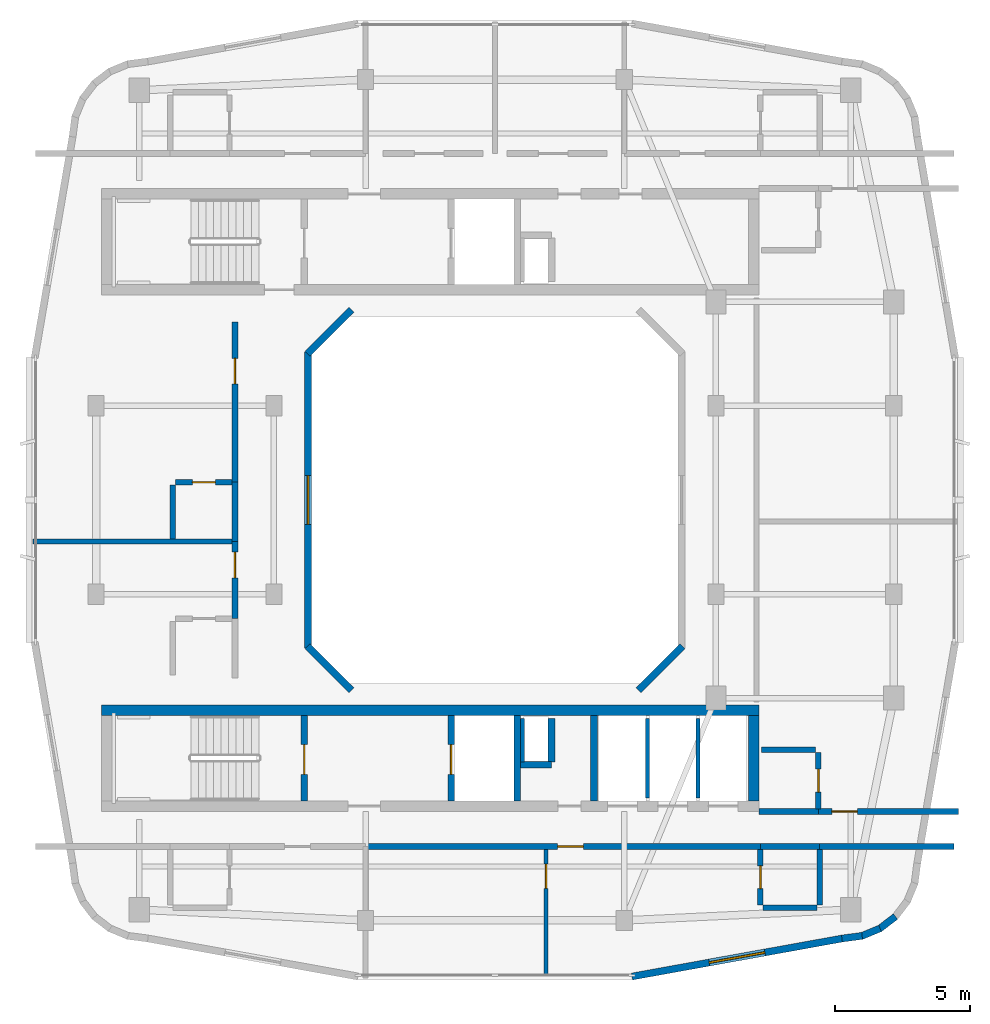
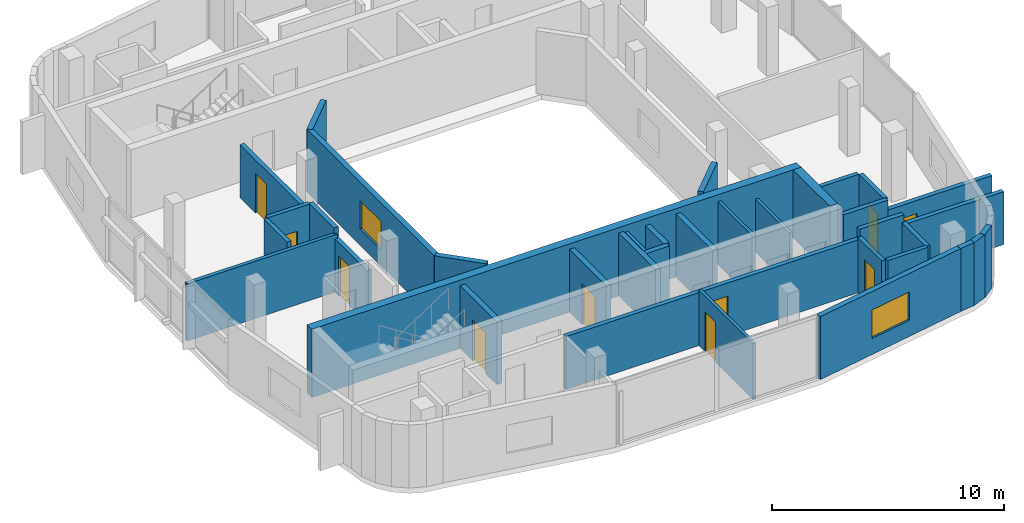
# One storey, part 4 of 8: 36 walls, 10 doors, 2 windows, 12 openings.
"""IFC4 building model written with IfcOpenShell, lengths in metres."""

from ifc_helpers import new_model, si_unit, derived_unit, direction, frame, frame_2d, origin, place, context, subcontext, project, spatial, rectangle, extrude, material, layer, layer_set, type_object, element, fill, save


model = new_model("IFC4")

# Units and contexts
model_context = context("Model", 3, precision=1e-05, world=origin(), true_north=direction((0.0, 1.0)))
body_context = subcontext(model_context, "Body", "Model", "MODEL_VIEW")
ifc_project = project(units=[si_unit("LENGTHUNIT", "METRE"), si_unit("AREAUNIT", "SQUARE_METRE"), si_unit("VOLUMEUNIT", "CUBIC_METRE"), si_unit("PLANEANGLEUNIT", "RADIAN"), si_unit("MASSUNIT", "GRAM", prefix="KILO"), derived_unit("THERMALTRANSMITTANCEUNIT", [(si_unit("POWERUNIT", "WATT"), 1), (si_unit("LENGTHUNIT", "METRE"), -2), (si_unit("THERMODYNAMICTEMPERATUREUNIT", "KELVIN"), -1)])], contexts=[model_context])

# Site, building, storey
site_placement = place(None, origin())
site = spatial("IfcSite", under=ifc_project, at=site_placement, CompositionType="ELEMENT")
building_placement = place(site_placement, origin())
building = spatial("IfcBuilding", under=site, at=building_placement, Name="Kivonza Crest Hotel", CompositionType="ELEMENT")
storey_placement = place(building_placement, frame((0.0, 0.0, 261.199951171875)))
storey = spatial("IfcBuildingStorey", under=building, at=storey_placement, Name="L71", CompositionType="ELEMENT", Elevation=261.199951171875)

# Walls
ifc_material_1 = material(Name="High-density acoustic masonry inter-tenancy wall", Category="masonry")
ifc_layer_1 = layer(ifc_material_1, 0.179931640625)
ifc_layer_set_1 = layer_set([ifc_layer_1], Name="High-density acoustic masonry inter-tenancy wall")
wall_type_1 = type_object("IfcWallType", Name="WL-ACOU-180", PredefinedType="SOLIDWALL", material=ifc_layer_set_1)
wall_1_placement = place(storey_placement, frame((3.860107421875, 23.4599609375, 0.0), z_axis=(0.0, 0.0, 1.0), x_axis=(1.0, 0.0, 0.0)))
element("IfcWall", 1, at=wall_1_placement, inside=storey, type_object=wall_type_1, Name="L71 interior partition WA-L71-T1W-DIV1", PredefinedType="SOLIDWALL", context=body_context, shape_type="SweptSolid", body=[
    extrude(rectangle(XDim=7.489990234375, YDim=0.179931640625, at=frame_2d((3.7451171875, 0.0))), origin(), (0.0, 0.0, 1.0), 3.01513671875),
])
ifc_material_2 = material(Name="Autoclaved aerated concrete blockwork", Category="masonry")
ifc_layer_2 = layer(ifc_material_2, 0.219970703125)
ifc_layer_set_2 = layer_set([ifc_layer_2], Name="Autoclaved aerated concrete blockwork")
wall_type_2 = type_object("IfcWallType", Name="WL-ACOU-220", PredefinedType="SOLIDWALL", material=ifc_layer_set_2)
wall_2_placement = place(storey_placement, frame((33.050048828125, 12.139892578125, 0.0), z_axis=(0.0, 0.0, 1.0), x_axis=(1.0, 0.0, 0.0)))
element("IfcWall", 2, at=wall_2_placement, inside=storey, type_object=wall_type_2, Name="L71 interior partition WA-L71-S04-XCORR", PredefinedType="SOLIDWALL", context=body_context, shape_type="SweptSolid", body=[
    extrude(rectangle(XDim=4.989990234375, YDim=0.219970703125, at=frame_2d((2.4951171875, 0.0))), origin(), (0.0, 0.0, 1.0), 2.795166015625),
])
wall_3_placement = place(storey_placement, frame((30.85009765625, 12.139892578125, 0.0), z_axis=(0.0, 0.0, 1.0), x_axis=(1.0, 0.0, 0.0)))
element("IfcWall", 3, at=wall_3_placement, inside=storey, type_object=wall_type_2, Name="L71 interior partition WA-L71-S04-BCORR", PredefinedType="SOLIDWALL", context=body_context, shape_type="SweptSolid", body=[
    extrude(rectangle(XDim=2.199951171875, YDim=0.219970703125, at=frame_2d((1.10009765625, 0.0))), origin(), (0.0, 0.0, 1.0), 3.320068359375),
])

# Wall, opening, door
wall_4_placement = place(storey_placement, frame((16.199951171875, 12.139892578125, 0.0), z_axis=(0.0, 0.0, 1.0), x_axis=(1.0, 0.0, 0.0)))
wall_4 = element("IfcWall", 4, at=wall_4_placement, inside=storey, type_object=wall_type_2, Name="L71 interior partition WA-L71-S04-MCORR", PredefinedType="SOLIDWALL", context=body_context, shape_type="SweptSolid", body=[
    extrude(rectangle(XDim=14.650146484375, YDim=0.219970703125, at=frame_2d((7.3251953125, 0.0))), origin(), (0.0, 0.0, 1.0), 2.795166015625),
])
opening_1_placement = place(wall_4_placement, frame((7.1298828125, 0.0, 0.0)))
opening_1 = element("IfcOpeningElement", 5, at=opening_1_placement, cuts=wall_4, Name="Opening DU-60", PredefinedType="OPENING", context=body_context, shape_type="SweptSolid", body=[
    extrude(rectangle(XDim=0.949951171875, YDim=2.10009765625, at=frame_2d((0.47509765625, 1.050048828125))), frame((0.0, 0.1201171875, 0.0), z_axis=(0.0, -1.0, 0.0), x_axis=(1.0, 0.0, 0.0)), (0.0, 0.0, 1.0), 0.239990234375),
])
ifc_material_3 = material(Name="Hardwood timber oak", Category="wood")
door_type_1 = type_object("IfcDoorType", Name="DR-UNIT-950", OperationType="NOTDEFINED", PredefinedType="DOOR", material=ifc_material_3)
door_1_placement = place(opening_1_placement, frame((0.949951171875, 0.0, 0.0), z_axis=(0.0, 0.0, 1.0), x_axis=(-1.0, 0.0, 0.0)))
door_1 = element("IfcDoor", 6, at=door_1_placement, inside=storey, type_object=door_type_1, Name="L71 S04 guest unit entrance fire door", OperationType="SINGLE_SWING_RIGHT", OverallHeight=2.10009765625, OverallWidth=0.949951171875, PredefinedType="DOOR", context=body_context, shape_type="SweptSolid", body=[
    extrude(rectangle(XDim=0.949951171875, YDim=2.10009765625, at=frame_2d((0.47509765625, 1.050048828125))), frame((0.0, 0.02490234375, 0.0), z_axis=(0.0, -1.0, 0.0), x_axis=(1.0, 0.0, 0.0)), (0.0, 0.0, 1.0), 0.050048828125),
])
fill(opening_1, door_1)

wall_5_placement = place(storey_placement, frame((11.35009765625, 20.60009765625, 0.0), z_axis=(0.0, 0.0, 1.0), x_axis=(0.0, 1.0, 0.0)))
wall_5 = element("IfcWall", 7, at=wall_5_placement, inside=storey, type_object=wall_type_2, Name="L71 interior partition WA-L71-W05-MCORR", PredefinedType="SOLIDWALL", context=body_context, shape_type="SweptSolid", body=[
    extrude(rectangle(XDim=2.85986328125, YDim=0.219970703125, at=frame_2d((1.429931640625, 0.0))), origin(), (0.0, 0.0, 1.0), 2.795166015625),
])
opening_2_placement = place(wall_5_placement, frame((1.514892578125, 0.0, 0.0)))
opening_2 = element("IfcOpeningElement", 8, at=opening_2_placement, cuts=wall_5, Name="Opening DU-60", PredefinedType="OPENING", context=body_context, shape_type="SweptSolid", body=[
    extrude(rectangle(XDim=0.949951171875, YDim=2.10009765625, at=frame_2d((0.47509765625, 1.050048828125))), frame((0.0, 0.1201171875, 0.0), z_axis=(0.0, -1.0, 0.0), x_axis=(1.0, 0.0, 0.0)), (0.0, 0.0, 1.0), 0.239990234375),
])
door_2_placement = place(opening_2_placement, origin())
door_2 = element("IfcDoor", 9, at=door_2_placement, inside=storey, type_object=door_type_1, Name="L71 W05 guest unit entrance fire door", OperationType="SINGLE_SWING_LEFT", OverallHeight=2.10009765625, OverallWidth=0.949951171875, PredefinedType="DOOR", context=body_context, shape_type="SweptSolid", body=[
    extrude(rectangle(XDim=0.949951171875, YDim=2.10009765625, at=frame_2d((0.47509765625, 1.050048828125))), frame((0.0, 0.02490234375, 0.0), z_axis=(0.0, -1.0, 0.0), x_axis=(1.0, 0.0, 0.0)), (0.0, 0.0, 1.0), 0.050048828125),
])
fill(opening_2, door_2)

# Wall
wall_6_placement = place(storey_placement, frame((11.35009765625, 23.4599609375, 0.0), z_axis=(0.0, 0.0, 1.0), x_axis=(0.0, 1.0, 0.0)))
element("IfcWall", 10, at=wall_6_placement, inside=storey, type_object=wall_type_2, Name="L71 interior partition WA-L71-W06-BCORR", PredefinedType="SOLIDWALL", context=body_context, shape_type="SweptSolid", body=[
    extrude(rectangle(XDim=2.199951171875, YDim=0.219970703125, at=frame_2d((1.10009765625, 0.0))), origin(), (0.0, 0.0, 1.0), 3.320068359375),
])

# Wall, opening, door
wall_7_placement = place(storey_placement, frame((11.35009765625, 25.659912109375, 0.0), z_axis=(0.0, 0.0, 1.0), x_axis=(0.0, 1.0, 0.0)))
wall_7 = element("IfcWall", 11, at=wall_7_placement, inside=storey, type_object=wall_type_2, Name="L71 interior partition WA-L71-W06-MCORR", PredefinedType="SOLIDWALL", context=body_context, shape_type="SweptSolid", body=[
    extrude(rectangle(XDim=5.940185546875, YDim=0.219970703125, at=frame_2d((2.97021484375, 0.0))), origin(), (0.0, 0.0, 1.0), 2.795166015625),
])
opening_3_placement = place(wall_7_placement, frame((3.64501953125, 0.0, 0.0)))
opening_3 = element("IfcOpeningElement", 12, at=opening_3_placement, cuts=wall_7, Name="Opening DU-60", PredefinedType="OPENING", context=body_context, shape_type="SweptSolid", body=[
    extrude(rectangle(XDim=0.949951171875, YDim=2.10009765625, at=frame_2d((0.47509765625, 1.050048828125))), frame((0.0, 0.1201171875, 0.0), z_axis=(0.0, -1.0, 0.0), x_axis=(1.0, 0.0, 0.0)), (0.0, 0.0, 1.0), 0.239990234375),
])
door_3_placement = place(opening_3_placement, origin())
door_3 = element("IfcDoor", 13, at=door_3_placement, inside=storey, type_object=door_type_1, Name="L71 W06 guest unit entrance fire door", OperationType="SINGLE_SWING_RIGHT", OverallHeight=2.10009765625, OverallWidth=0.949951171875, PredefinedType="DOOR", context=body_context, shape_type="SweptSolid", body=[
    extrude(rectangle(XDim=0.949951171875, YDim=2.10009765625, at=frame_2d((0.47509765625, 1.050048828125))), frame((0.0, 0.02490234375, 0.0), z_axis=(0.0, -1.0, 0.0), x_axis=(1.0, 0.0, 0.0)), (0.0, 0.0, 1.0), 0.050048828125),
])
fill(opening_3, door_3)

# Wall
wall_8_placement = place(storey_placement, frame((30.800048828125, 13.43994140625, 0.0), z_axis=(0.0, 0.0, 1.0), x_axis=(1.0, 0.0, 0.0)))
element("IfcWall", 14, at=wall_8_placement, inside=storey, type_object=wall_type_2, Name="L71 interior partition WA-L71-ES07-BCORR", PredefinedType="SOLIDWALL", context=body_context, shape_type="SweptSolid", body=[
    extrude(rectangle(XDim=2.199951171875, YDim=0.219970703125, at=frame_2d((1.10009765625, 0.0))), origin(), (0.0, 0.0, 1.0), 3.320068359375),
])

# Wall, opening, door
wall_9_placement = place(storey_placement, frame((33.0, 13.43994140625, 0.0), z_axis=(0.0, 0.0, 1.0), x_axis=(1.0, 0.0, 0.0)))
wall_9 = element("IfcWall", 15, at=wall_9_placement, inside=storey, type_object=wall_type_2, Name="L71 interior partition WA-L71-ES07-MCORR", PredefinedType="SOLIDWALL", context=body_context, shape_type="SweptSolid", body=[
    extrude(rectangle(XDim=5.199951171875, YDim=0.219970703125, at=frame_2d((2.60009765625, 0.0))), origin(), (0.0, 0.0, 1.0), 2.795166015625),
])
opening_4_placement = place(wall_9_placement, frame((0.5, 0.0, 0.0)))
opening_4 = element("IfcOpeningElement", 16, at=opening_4_placement, cuts=wall_9, Name="Opening DU-60", PredefinedType="OPENING", context=body_context, shape_type="SweptSolid", body=[
    extrude(rectangle(XDim=0.949951171875, YDim=2.10009765625, at=frame_2d((0.47509765625, 1.050048828125))), frame((0.0, 0.1201171875, 0.0), z_axis=(0.0, -1.0, 0.0), x_axis=(1.0, 0.0, 0.0)), (0.0, 0.0, 1.0), 0.239990234375),
])
door_4_placement = place(opening_4_placement, origin())
door_4 = element("IfcDoor", 17, at=door_4_placement, inside=storey, type_object=door_type_1, Name="L71 ES07 guest unit entrance fire door", OperationType="SINGLE_SWING_RIGHT", OverallHeight=2.10009765625, OverallWidth=0.949951171875, PredefinedType="DOOR", context=body_context, shape_type="SweptSolid", body=[
    extrude(rectangle(XDim=0.949951171875, YDim=2.10009765625, at=frame_2d((0.47509765625, 1.050048828125))), frame((0.0, 0.02490234375, 0.0), z_axis=(0.0, -1.0, 0.0), x_axis=(1.0, 0.0, 0.0)), (0.0, 0.0, 1.0), 0.050048828125),
])
fill(opening_4, door_4)

# Walls
ifc_material_4 = material(Name="Concrete C50/60", Category="concrete")
ifc_layer_3 = layer(ifc_material_4, 0.39990234375)
ifc_layer_set_3 = layer_set([ifc_layer_3], Name="Concrete C50/60")
wall_type_3 = type_object("IfcWallType", Name="WL-CORE-400", PredefinedType="SHEAR", material=ifc_layer_set_3)
wall_10_placement = place(storey_placement, frame((6.39990234375, 17.199951171875, 0.0), z_axis=(0.0, 0.0, 1.0), x_axis=(1.0, 0.0, 0.0)))
element("IfcWall", 18, at=wall_10_placement, inside=storey, type_object=wall_type_3, Name="Core wall T1-S North L71", PredefinedType="SHEAR", context=body_context, shape_type="SweptSolid", body=[
    extrude(rectangle(XDim=24.400146484375, YDim=0.39990234375, at=frame_2d((12.2001953125, 0.0))), origin(), (0.0, 0.0, 1.0), 3.60009765625),
])
wall_11_placement = place(storey_placement, frame((30.60009765625, 13.840087890625, 0.0), z_axis=(0.0, 0.0, 1.0), x_axis=(0.0, 1.0, 0.0)))
element("IfcWall", 19, at=wall_11_placement, inside=storey, type_object=wall_type_3, Name="Core wall T1-S East L71", PredefinedType="SHEAR", context=body_context, shape_type="SweptSolid", body=[
    extrude(rectangle(XDim=3.159912109375, YDim=0.39990234375, at=frame_2d((1.580078125, 0.0))), origin(), (0.0, 0.0, 1.0), 3.60009765625),
])

# Wall, opening, window
ifc_material_5 = material(Name="Precast concrete C40/50", Category="concrete")
ifc_layer_4 = layer(ifc_material_5, 0.260009765625)
ifc_layer_set_4 = layer_set([ifc_layer_4], Name="Precast concrete C40/50")
wall_type_4 = type_object("IfcWallType", Name="WL-EXT-260", PredefinedType="STANDARD", material=ifc_layer_set_4)
wall_12_placement = place(storey_placement, frame((26.0830078125, 7.318115234375, 0.0), z_axis=(0.0, 0.0, 1.0), x_axis=(0.984039441158, 0.177950493803, 0.0)))
wall_12 = element("IfcWall", 20, at=wall_12_placement, inside=storey, type_object=wall_type_4, Name="L71 T1 exterior insulated wall 9", PredefinedType="STANDARD", context=body_context, shape_type="SweptSolid", body=[
    extrude(rectangle(XDim=7.928466796875, YDim=0.260009765625, at=frame_2d((3.96435546875, 0.0))), origin(), (0.0, 0.0, 1.0), 3.320068359375),
])
opening_5_placement = place(wall_12_placement, frame((2.9140625, 0.0, 0.85009765625)))
opening_5 = element("IfcOpeningElement", 21, at=opening_5_placement, cuts=wall_12, Name="Opening WN-04", PredefinedType="OPENING", context=body_context, shape_type="SweptSolid", body=[
    extrude(rectangle(XDim=2.10009765625, YDim=1.5, at=frame_2d((1.050048828125, 0.75))), frame((0.0, 0.14013671875, 0.0), z_axis=(0.0, -1.0, 0.0), x_axis=(1.0, 0.0, 0.0)), (0.0, 0.0, 1.0), 0.280029296875),
])
ifc_material_6 = material(Name="Thermally broken bronze aluminium and low-E double glazing", Category="aluminium")
window_type_1 = type_object("IfcWindowType", Name="WN-210x150", PartitioningType="DOUBLE_PANEL_VERTICAL", PredefinedType="WINDOW", material=ifc_material_6)
window_1_placement = place(opening_5_placement, origin())
window_1 = element("IfcWindow", 22, at=window_1_placement, inside=storey, type_object=window_type_1, Name="L71 T1 facade window 9", OverallHeight=1.5, OverallWidth=2.10009765625, PartitioningType="SINGLE_PANEL", PredefinedType="WINDOW", context=body_context, shape_type="SweptSolid", body=[
    extrude(rectangle(XDim=2.10009765625, YDim=1.5, at=frame_2d((1.050048828125, 0.75))), frame((0.0, 0.030029296875, 0.0), z_axis=(0.0, -1.0, 0.0), x_axis=(1.0, 0.0, 0.0)), (0.0, 0.0, 1.0), 0.06005859375),
])
fill(opening_5, window_1)

# Walls
wall_13_placement = place(storey_placement, frame((33.875, 8.72802734375, 0.0), z_axis=(0.0, 0.0, 1.0), x_axis=(0.99139921394, 0.130872451645, 0.0)))
element("IfcWall", 23, at=wall_13_placement, inside=storey, type_object=wall_type_4, Name="L71 T1 exterior insulated wall 10", PredefinedType="STANDARD", context=body_context, shape_type="SweptSolid", body=[
    extrude(rectangle(XDim=0.755615234375, YDim=0.260009765625, at=frame_2d((0.3779296875, 0.0))), origin(), (0.0, 0.0, 1.0), 3.320068359375),
])
for number, where, z_axis, x_axis, name in (
    (24, (34.577880859375, 8.80908203125, 0.0), (0.0, 0.0, 1.0), (0.923646580096, 0.383245345798, 0.0), "L71 T1 exterior insulated wall 11"),
    (25, (35.2509765625, 9.076904296875, 0.0), (0.0, 0.0, 1.0), (0.794232124259, 0.607614460654, 0.0), "L71 T1 exterior insulated wall 12"),
):
    element("IfcWall", number, at=place(storey_placement, frame(where, z_axis=z_axis, x_axis=x_axis)), inside=storey, type_object=wall_type_4, Name=name, PredefinedType="STANDARD", context=body_context, shape_type="SweptSolid", body=[
        extrude(rectangle(XDim=0.77197265625, YDim=0.260009765625, at=frame_2d((0.385986328125, 0.0))), origin(), (0.0, 0.0, 1.0), 3.320068359375),
    ])
for number, where, z_axis, x_axis, name in (
    (26, (26.322021484375, 17.93798828125, 0.0), (0.0, 0.0, 1.0), (0.707106781187, 0.707106781187, 0.0), "L71 T1 light-well exterior wall 2"),
    (27, (15.677978515625, 32.06201171875, 0.0), (0.0, 0.0, 1.0), (-0.707106781187, -0.707106781187, 0.0), "L71 T1 light-well exterior wall 6"),
):
    element("IfcWall", number, at=place(storey_placement, frame(where, z_axis=z_axis, x_axis=x_axis)), inside=storey, type_object=wall_type_4, Name=name, PredefinedType="STANDARD", context=body_context, shape_type="SweptSolid", body=[
        extrude(rectangle(XDim=2.310791015625, YDim=0.260009765625, at=frame_2d((1.1552734375, 0.0))), origin(), (0.0, 0.0, 1.0), 3.320068359375),
    ])

# Wall, opening, window
wall_14_placement = place(storey_placement, frame((14.070068359375, 30.489990234375, 0.0), z_axis=(0.0, 0.0, 1.0), x_axis=(0.0, -1.0, 0.0)))
wall_14 = element("IfcWall", 28, at=wall_14_placement, inside=storey, type_object=wall_type_4, Name="L71 T1 light-well exterior wall 7", PredefinedType="STANDARD", context=body_context, shape_type="SweptSolid", body=[
    extrude(rectangle(XDim=10.97998046875, YDim=0.260009765625, at=frame_2d((5.489990234375, 0.0))), origin(), (0.0, 0.0, 1.0), 3.320068359375),
])
opening_6_placement = place(wall_14_placement, frame((4.590087890625, 0.0, 0.85009765625)))
opening_6 = element("IfcOpeningElement", 29, at=opening_6_placement, cuts=wall_14, Name="Opening WN-03", PredefinedType="OPENING", context=body_context, shape_type="SweptSolid", body=[
    extrude(rectangle(XDim=1.800048828125, YDim=1.5, at=frame_2d((0.89990234375, 0.75))), frame((0.0, 0.14013671875, 0.0), z_axis=(0.0, -1.0, 0.0), x_axis=(1.0, 0.0, 0.0)), (0.0, 0.0, 1.0), 0.280029296875),
])
window_type_2 = type_object("IfcWindowType", Name="WN-180x150", PartitioningType="DOUBLE_PANEL_VERTICAL", PredefinedType="WINDOW", material=ifc_material_6)
window_2_placement = place(opening_6_placement, origin())
window_2 = element("IfcWindow", 30, at=window_2_placement, inside=storey, type_object=window_type_2, Name="L71 T1 light-well window 7", OverallHeight=1.5, OverallWidth=1.800048828125, PartitioningType="SINGLE_PANEL", PredefinedType="WINDOW", context=body_context, shape_type="SweptSolid", body=[
    extrude(rectangle(XDim=1.800048828125, YDim=1.5, at=frame_2d((0.89990234375, 0.75))), frame((0.0, 0.030029296875, 0.0), z_axis=(0.0, -1.0, 0.0), x_axis=(1.0, 0.0, 0.0)), (0.0, 0.0, 1.0), 0.06005859375),
])
fill(opening_6, window_2)

# Walls
wall_15_placement = place(storey_placement, frame((14.0439453125, 19.572021484375, 0.0), z_axis=(0.0, 0.0, 1.0), x_axis=(0.707106781187, -0.707106781187, 0.0)))
element("IfcWall", 31, at=wall_15_placement, inside=storey, type_object=wall_type_4, Name="L71 T1 light-well exterior wall 8", PredefinedType="STANDARD", context=body_context, shape_type="SweptSolid", body=[
    extrude(rectangle(XDim=2.310791015625, YDim=0.260009765625, at=frame_2d((1.1552734375, 0.0))), origin(), (0.0, 0.0, 1.0), 3.320068359375),
])
ifc_material_7 = material(Name="Concrete blockwork fire-compartment wall", Category="masonry")
ifc_layer_5 = layer(ifc_material_7, 0.25)
ifc_layer_set_5 = layer_set([ifc_layer_5], Name="Concrete blockwork fire-compartment wall")
wall_type_5 = type_object("IfcWallType", Name="WL-FIRE-250", PredefinedType="SOLIDWALL", material=ifc_layer_set_5)
wall_16_placement = place(storey_placement, frame((23.10009765625, 15.280029296875, 0.0), z_axis=(0.0, 0.0, 1.0), x_axis=(0.0, 1.0, 0.0)))
element("IfcWall", 32, at=wall_16_placement, inside=storey, type_object=wall_type_5, Name="L71 interior partition WA-L71-T1-S-MEPR-E", PredefinedType="SOLIDWALL", context=body_context, shape_type="SweptSolid", body=[
    extrude(rectangle(XDim=1.619873046875, YDim=0.25, at=frame_2d((0.81005859375, 0.0))), origin(), (0.0, 0.0, 1.0), 3.320068359375),
])
wall_17_placement = place(storey_placement, frame((21.949951171875, 15.179931640625, 0.0), z_axis=(0.0, 0.0, 1.0), x_axis=(1.0, 0.0, 0.0)))
element("IfcWall", 33, at=wall_17_placement, inside=storey, type_object=wall_type_5, Name="L71 interior partition WA-L71-T1-S-MEPR-H", PredefinedType="SOLIDWALL", context=body_context, shape_type="SweptSolid", body=[
    extrude(rectangle(XDim=1.150146484375, YDim=0.25, at=frame_2d((0.5751953125, 0.0))), origin(), (0.0, 0.0, 1.0), 3.320068359375),
])
ifc_material_8 = material(Name="Twin-stud acoustic gypsum board partition", Category="gypsum")
ifc_layer_6 = layer(ifc_material_8, 0.14990234375)
ifc_layer_set_6 = layer_set([ifc_layer_6], Name="Twin-stud acoustic gypsum board partition")
wall_type_6 = type_object("IfcWallType", Name="WL-PART-150", PredefinedType="PARTITIONING", material=ifc_layer_set_6)
wall_18_placement = place(storey_placement, frame((22.030029296875, 15.280029296875, 0.0), z_axis=(0.0, 0.0, 1.0), x_axis=(0.0, 1.0, 0.0)))
element("IfcWall", 34, at=wall_18_placement, inside=storey, type_object=wall_type_6, Name="L71 interior partition WA-L71-T1-S-MEPR-W", PredefinedType="PARTITIONING", context=body_context, shape_type="SweptSolid", body=[
    extrude(rectangle(XDim=1.619873046875, YDim=0.14990234375, at=frame_2d((0.81005859375, 0.0))), origin(), (0.0, 0.0, 1.0), 3.320068359375),
])
wall_19_placement = place(storey_placement, frame((26.6669921875, 13.93994140625, 0.0), z_axis=(0.0, 0.0, 1.0), x_axis=(0.0, 1.0, 0.0)))
element("IfcWall", 35, at=wall_19_placement, inside=storey, type_object=wall_type_6, Name="L71 interior partition WP-L71-T1-S-BSH-1", PredefinedType="PARTITIONING", context=body_context, shape_type="SweptSolid", body=[
    extrude(rectangle(XDim=2.9599609375, YDim=0.14990234375, at=frame_2d((1.47998046875, 0.0))), origin(), (0.0, 0.0, 1.0), 3.320068359375),
])
wall_20_placement = place(storey_placement, frame((28.532958984375, 13.93994140625, 0.0), z_axis=(0.0, 0.0, 1.0), x_axis=(0.0, 1.0, 0.0)))
element("IfcWall", 36, at=wall_20_placement, inside=storey, type_object=wall_type_6, Name="L71 interior partition WP-L71-T1-S-BSH-2", PredefinedType="PARTITIONING", context=body_context, shape_type="SweptSolid", body=[
    extrude(rectangle(XDim=2.9599609375, YDim=0.14990234375, at=frame_2d((1.47998046875, 0.0))), origin(), (0.0, 0.0, 1.0), 2.795166015625),
])

# Wall, opening, door
wall_21_placement = place(storey_placement, frame((22.89990234375, 7.360107421875, 0.0), z_axis=(0.0, 0.0, 1.0), x_axis=(0.0, 1.0, 0.0)))
wall_21 = element("IfcWall", 37, at=wall_21_placement, inside=storey, type_object=wall_type_6, Name="L71 interior partition WP-L71-S04-SPSP", PredefinedType="PARTITIONING", context=body_context, shape_type="SweptSolid", body=[
    extrude(rectangle(XDim=4.679931640625, YDim=0.14990234375, at=frame_2d((2.33984375, 0.0))), origin(), (0.0, 0.0, 1.0), 2.93505859375),
])
opening_7_placement = place(wall_21_placement, frame((3.22998046875, 0.0, 0.0)))
opening_7 = element("IfcOpeningElement", 38, at=opening_7_placement, cuts=wall_21, Name="Opening DI-90", PredefinedType="OPENING", context=body_context, shape_type="SweptSolid", body=[
    extrude(rectangle(XDim=0.89990234375, YDim=2.10009765625, at=frame_2d((0.449951171875, 1.050048828125))), frame((0.0, 0.0849609375, 0.0), z_axis=(0.0, -1.0, 0.0), x_axis=(1.0, 0.0, 0.0)), (0.0, 0.0, 1.0), 0.169921875),
])
door_type_2 = type_object("IfcDoorType", Name="DR-INT-900", OperationType="NOTDEFINED", PredefinedType="DOOR", material=ifc_material_3)
door_5_placement = place(opening_7_placement, origin())
door_5 = element("IfcDoor", 39, at=door_5_placement, inside=storey, type_object=door_type_2, Name="L71 S04 suite bedroom door", OperationType="SINGLE_SWING_LEFT", OverallHeight=2.10009765625, OverallWidth=0.89990234375, PredefinedType="DOOR", context=body_context, shape_type="SweptSolid", body=[
    extrude(rectangle(XDim=0.89990234375, YDim=2.10009765625, at=frame_2d((0.449951171875, 1.050048828125))), frame((0.0, 0.02490234375, 0.0), z_axis=(0.0, -1.0, 0.0), x_axis=(1.0, 0.0, 0.0)), (0.0, 0.0, 1.0), 0.050048828125),
])
fill(opening_7, door_5)

ifc_material_9 = material(Name="Moisture-resistant plumbing chase partition wall", Category="gypsum")
ifc_layer_7 = layer(ifc_material_9, 0.199951171875)
ifc_layer_set_7 = layer_set([ifc_layer_7], Name="Moisture-resistant plumbing chase partition wall")
wall_type_7 = type_object("IfcWallType", Name="WL-PLUMB-200", PredefinedType="PLUMBINGWALL", material=ifc_layer_set_7)
wall_22_placement = place(storey_placement, frame((30.85009765625, 9.968017578125, 0.0), z_axis=(0.0, 0.0, 1.0), x_axis=(0.0, 1.0, 0.0)))
wall_22 = element("IfcWall", 40, at=wall_22_placement, inside=storey, type_object=wall_type_7, Name="L71 interior partition WW-L71-S04-BV", PredefinedType="PLUMBINGWALL", context=body_context, shape_type="SweptSolid", body=[
    extrude(rectangle(XDim=2.072021484375, YDim=0.199951171875, at=frame_2d((1.0361328125, 0.0))), origin(), (0.0, 0.0, 1.0), 2.93505859375),
])
opening_8_placement = place(wall_22_placement, frame((0.611083984375, 0.0, 0.0)))
opening_8 = element("IfcOpeningElement", 41, at=opening_8_placement, cuts=wall_22, Name="Opening DI-85", PredefinedType="OPENING", context=body_context, shape_type="SweptSolid", body=[
    extrude(rectangle(XDim=0.85009765625, YDim=2.10009765625, at=frame_2d((0.425048828125, 1.050048828125))), frame((0.0, 0.10986328125, 0.0), z_axis=(0.0, -1.0, 0.0), x_axis=(1.0, 0.0, 0.0)), (0.0, 0.0, 1.0), 0.219970703125),
])
door_type_3 = type_object("IfcDoorType", Name="DR-INT-850", OperationType="NOTDEFINED", PredefinedType="DOOR", material=ifc_material_3)
door_6_placement = place(opening_8_placement, origin())
door_6 = element("IfcDoor", 42, at=door_6_placement, inside=storey, type_object=door_type_3, Name="L71 S04 en-suite bathroom door", OperationType="SINGLE_SWING_LEFT", OverallHeight=2.10009765625, OverallWidth=0.85009765625, PredefinedType="DOOR", context=body_context, shape_type="SweptSolid", body=[
    extrude(rectangle(XDim=0.85009765625, YDim=2.10009765625, at=frame_2d((0.425048828125, 1.050048828125))), frame((0.0, 0.02490234375, 0.0), z_axis=(0.0, -1.0, 0.0), x_axis=(1.0, 0.0, 0.0)), (0.0, 0.0, 1.0), 0.050048828125),
])
fill(opening_8, door_6)

# Walls
wall_23_placement = place(storey_placement, frame((30.949951171875, 9.867919921875, 0.0), z_axis=(0.0, 0.0, 1.0), x_axis=(1.0, 0.0, 0.0)))
element("IfcWall", 43, at=wall_23_placement, inside=storey, type_object=wall_type_7, Name="L71 interior partition WW-L71-S04-BH", PredefinedType="PLUMBINGWALL", context=body_context, shape_type="SweptSolid", body=[
    extrude(rectangle(XDim=2.0, YDim=0.199951171875, at=frame_2d((1.0, 0.0))), origin(), (0.0, 0.0, 1.0), 3.01513671875),
])
wall_24_placement = place(storey_placement, frame((33.050048828125, 9.968017578125, 0.0), z_axis=(0.0, 0.0, 1.0), x_axis=(0.0, 1.0, 0.0)))
element("IfcWall", 44, at=wall_24_placement, inside=storey, type_object=wall_type_7, Name="L71 interior partition WW-L71-S04-BVE", PredefinedType="PLUMBINGWALL", context=body_context, shape_type="SweptSolid", body=[
    extrude(rectangle(XDim=2.072021484375, YDim=0.199951171875, at=frame_2d((1.0361328125, 0.0))), origin(), (0.0, 0.0, 1.0), 2.93505859375),
])

# Wall, opening, door
wall_25_placement = place(storey_placement, frame((9.14990234375, 25.659912109375, 0.0), z_axis=(0.0, 0.0, 1.0), x_axis=(1.0, 0.0, 0.0)))
wall_25 = element("IfcWall", 45, at=wall_25_placement, inside=storey, type_object=wall_type_7, Name="L71 interior partition WW-L71-W06-BH", PredefinedType="PLUMBINGWALL", context=body_context, shape_type="SweptSolid", body=[
    extrude(rectangle(XDim=2.10009765625, YDim=0.199951171875, at=frame_2d((1.050048828125, 0.0))), origin(), (0.0, 0.0, 1.0), 3.320068359375),
])
opening_9_placement = place(wall_25_placement, frame((0.625, 0.0, 0.0)))
opening_9 = element("IfcOpeningElement", 46, at=opening_9_placement, cuts=wall_25, Name="Opening DI-85", PredefinedType="OPENING", context=body_context, shape_type="SweptSolid", body=[
    extrude(rectangle(XDim=0.85009765625, YDim=2.10009765625, at=frame_2d((0.425048828125, 1.050048828125))), frame((0.0, 0.10986328125, 0.0), z_axis=(0.0, -1.0, 0.0), x_axis=(1.0, 0.0, 0.0)), (0.0, 0.0, 1.0), 0.219970703125),
])
door_7_placement = place(opening_9_placement, origin())
door_7 = element("IfcDoor", 47, at=door_7_placement, inside=storey, type_object=door_type_3, Name="L71 W06 en-suite bathroom door", OperationType="SINGLE_SWING_LEFT", OverallHeight=2.10009765625, OverallWidth=0.85009765625, PredefinedType="DOOR", context=body_context, shape_type="SweptSolid", body=[
    extrude(rectangle(XDim=0.85009765625, YDim=2.10009765625, at=frame_2d((0.425048828125, 1.050048828125))), frame((0.0, 0.02490234375, 0.0), z_axis=(0.0, -1.0, 0.0), x_axis=(1.0, 0.0, 0.0)), (0.0, 0.0, 1.0), 0.050048828125),
])
fill(opening_9, door_7)

# Wall
wall_26_placement = place(storey_placement, frame((9.050048828125, 23.56005859375, 0.0), z_axis=(0.0, 0.0, 1.0), x_axis=(0.0, 1.0, 0.0)))
element("IfcWall", 48, at=wall_26_placement, inside=storey, type_object=wall_type_7, Name="L71 interior partition WW-L71-W06-BV", PredefinedType="PLUMBINGWALL", context=body_context, shape_type="SweptSolid", body=[
    extrude(rectangle(XDim=2.0, YDim=0.199951171875, at=frame_2d((1.0, 0.0))), origin(), (0.0, 0.0, 1.0), 3.320068359375),
])

# Wall, opening, door
wall_27_placement = place(storey_placement, frame((33.0, 13.5400390625, 0.0), z_axis=(0.0, 0.0, 1.0), x_axis=(0.0, 1.0, 0.0)))
wall_27 = element("IfcWall", 49, at=wall_27_placement, inside=storey, type_object=wall_type_7, Name="L71 interior partition WW-L71-ES07-BV", PredefinedType="PLUMBINGWALL", context=body_context, shape_type="SweptSolid", body=[
    extrude(rectangle(XDim=2.099853515625, YDim=0.199951171875, at=frame_2d((1.0498046875, 0.0))), origin(), (0.0, 0.0, 1.0), 3.320068359375),
])
opening_10_placement = place(wall_27_placement, frame((0.625, 0.0, 0.0)))
opening_10 = element("IfcOpeningElement", 50, at=opening_10_placement, cuts=wall_27, Name="Opening DI-85", PredefinedType="OPENING", context=body_context, shape_type="SweptSolid", body=[
    extrude(rectangle(XDim=0.85009765625, YDim=2.10009765625, at=frame_2d((0.425048828125, 1.050048828125))), frame((0.0, 0.10986328125, 0.0), z_axis=(0.0, -1.0, 0.0), x_axis=(1.0, 0.0, 0.0)), (0.0, 0.0, 1.0), 0.219970703125),
])
door_8_placement = place(opening_10_placement, frame((0.85009765625, 0.0, 0.0), z_axis=(0.0, 0.0, 1.0), x_axis=(-1.0, 0.0, 0.0)))
door_8 = element("IfcDoor", 51, at=door_8_placement, inside=storey, type_object=door_type_3, Name="L71 ES07 en-suite bathroom door", OperationType="SINGLE_SWING_LEFT", OverallHeight=2.10009765625, OverallWidth=0.85009765625, PredefinedType="DOOR", context=body_context, shape_type="SweptSolid", body=[
    extrude(rectangle(XDim=0.85009765625, YDim=2.10009765625, at=frame_2d((0.425048828125, 1.050048828125))), frame((0.0, 0.02490234375, 0.0), z_axis=(0.0, -1.0, 0.0), x_axis=(1.0, 0.0, 0.0)), (0.0, 0.0, 1.0), 0.050048828125),
])
fill(opening_10, door_8)

# Wall
wall_28_placement = place(storey_placement, frame((30.89990234375, 15.739990234375, 0.0), z_axis=(0.0, 0.0, 1.0), x_axis=(1.0, 0.0, 0.0)))
element("IfcWall", 52, at=wall_28_placement, inside=storey, type_object=wall_type_7, Name="L71 interior partition WW-L71-ES07-BH", PredefinedType="PLUMBINGWALL", context=body_context, shape_type="SweptSolid", body=[
    extrude(rectangle(XDim=2.0, YDim=0.199951171875, at=frame_2d((1.0, 0.0))), origin(), (0.0, 0.0, 1.0), 3.320068359375),
])

# Wall, opening, door
ifc_layer_8 = layer(ifc_material_4, 0.25)
ifc_layer_set_8 = layer_set([ifc_layer_8], Name="Concrete C50/60")
wall_type_8 = type_object("IfcWallType", Name="WL-SHAFT-250", PredefinedType="STANDARD", material=ifc_layer_set_8)
wall_29_placement = place(storey_placement, frame((13.925048828125, 13.840087890625, 0.0), z_axis=(0.0, 0.0, 1.0), x_axis=(0.0, 1.0, 0.0)))
wall_29 = element("IfcWall", 53, at=wall_29_placement, inside=storey, type_object=wall_type_8, Name="Core shaft wall T1-S STAIR L71", PredefinedType="STANDARD", context=body_context, shape_type="SweptSolid", body=[
    extrude(rectangle(XDim=3.159912109375, YDim=0.25, at=frame_2d((1.580078125, 0.0))), origin(), (0.0, 0.0, 1.0), 3.320068359375),
])
opening_11_placement = place(wall_29_placement, frame((0.97998046875, 0.0, 0.0)))
opening_11 = element("IfcOpeningElement", 54, at=opening_11_placement, cuts=wall_29, Name="Opening DF-120", PredefinedType="OPENING", context=body_context, shape_type="SweptSolid", body=[
    extrude(rectangle(XDim=1.10009765625, YDim=2.14990234375, at=frame_2d((0.550048828125, 1.074951171875))), frame((0.0, 0.135009765625, 0.0), z_axis=(0.0, -1.0, 0.0), x_axis=(1.0, 0.0, 0.0)), (0.0, 0.0, 1.0), 0.27001953125),
])
ifc_material_10 = material(Name="Galvanised steel", Category="steel")
door_type_4 = type_object("IfcDoorType", Name="DR-FD120-1100", OperationType="NOTDEFINED", PredefinedType="DOOR", material=ifc_material_10)
door_9_placement = place(opening_11_placement, frame((1.10009765625, 0.0, 0.0), z_axis=(0.0, 0.0, 1.0), x_axis=(-1.0, 0.0, 0.0)))
door_9 = element("IfcDoor", 55, at=door_9_placement, inside=storey, type_object=door_type_4, Name="L71 T1-S stair fire door", OperationType="SINGLE_SWING_RIGHT", OverallHeight=2.14990234375, OverallWidth=1.10009765625, PredefinedType="DOOR", context=body_context, shape_type="SweptSolid", body=[
    extrude(rectangle(XDim=1.10009765625, YDim=2.14990234375, at=frame_2d((0.550048828125, 1.074951171875))), frame((0.0, 0.02490234375, 0.0), z_axis=(0.0, -1.0, 0.0), x_axis=(1.0, 0.0, 0.0)), (0.0, 0.0, 1.0), 0.050048828125),
])
fill(opening_11, door_9)

wall_30_placement = place(storey_placement, frame((19.375, 13.840087890625, 0.0), z_axis=(0.0, 0.0, 1.0), x_axis=(0.0, 1.0, 0.0)))
wall_30 = element("IfcWall", 56, at=wall_30_placement, inside=storey, type_object=wall_type_8, Name="Core shaft wall T1-S FFL-W L71", PredefinedType="STANDARD", context=body_context, shape_type="SweptSolid", body=[
    extrude(rectangle(XDim=3.159912109375, YDim=0.25, at=frame_2d((1.580078125, 0.0))), origin(), (0.0, 0.0, 1.0), 3.320068359375),
])
opening_12_placement = place(wall_30_placement, frame((0.97998046875, 0.0, 0.0)))
opening_12 = element("IfcOpeningElement", 57, at=opening_12_placement, cuts=wall_30, Name="Opening LD-120", PredefinedType="OPENING", context=body_context, shape_type="SweptSolid", body=[
    extrude(rectangle(XDim=1.10009765625, YDim=2.14990234375, at=frame_2d((0.550048828125, 1.074951171875))), frame((0.0, 0.135009765625, 0.0), z_axis=(0.0, -1.0, 0.0), x_axis=(1.0, 0.0, 0.0)), (0.0, 0.0, 1.0), 0.27001953125),
])
ifc_material_11 = material(Name="Stainless steel", Category="steel")
door_type_5 = type_object("IfcDoorType", Name="DR-LD120-1100", OperationType="NOTDEFINED", PredefinedType="DOOR", material=ifc_material_11)
door_10_placement = place(opening_12_placement, origin())
door_10 = element("IfcDoor", 58, at=door_10_placement, inside=storey, type_object=door_type_5, Name="L71 FFL-T1-S firefighting lift sliding landing door", OperationType="DOUBLE_DOOR_SLIDING", OverallHeight=2.14990234375, OverallWidth=1.10009765625, PredefinedType="DOOR", context=body_context, shape_type="SweptSolid", body=[
    extrude(rectangle(XDim=1.10009765625, YDim=2.14990234375, at=frame_2d((0.550048828125, 1.074951171875))), frame((0.0, 0.02490234375, 0.0), z_axis=(0.0, -1.0, 0.0), x_axis=(1.0, 0.0, 0.0)), (0.0, 0.0, 1.0), 0.050048828125),
])
fill(opening_12, door_10)

# Walls
for number, where, z_axis, x_axis, name in (
    (59, (21.824951171875, 13.840087890625, 0.0), (0.0, 0.0, 1.0), (0.0, 1.0, 0.0), "Core shaft wall T1-S FFL-E L71"),
    (60, (24.675048828125, 13.840087890625, 0.0), (0.0, 0.0, 1.0), (0.0, 1.0, 0.0), "Core shaft wall T1-S BANK-W L71"),
):
    element("IfcWall", number, at=place(storey_placement, frame(where, z_axis=z_axis, x_axis=x_axis)), inside=storey, type_object=wall_type_8, Name=name, PredefinedType="STANDARD", context=body_context, shape_type="SweptSolid", body=[
        extrude(rectangle(XDim=3.159912109375, YDim=0.25, at=frame_2d((1.580078125, 0.0))), origin(), (0.0, 0.0, 1.0), 3.320068359375),
    ])

save(model, "model.ifc")
